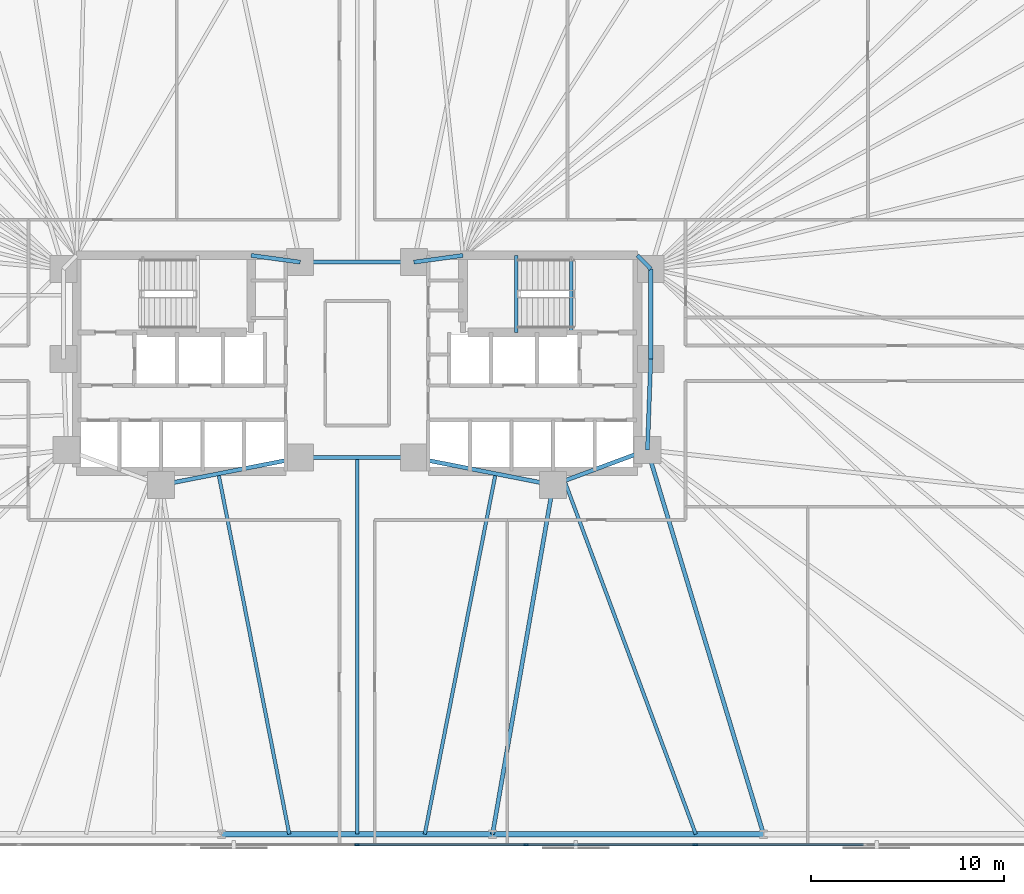
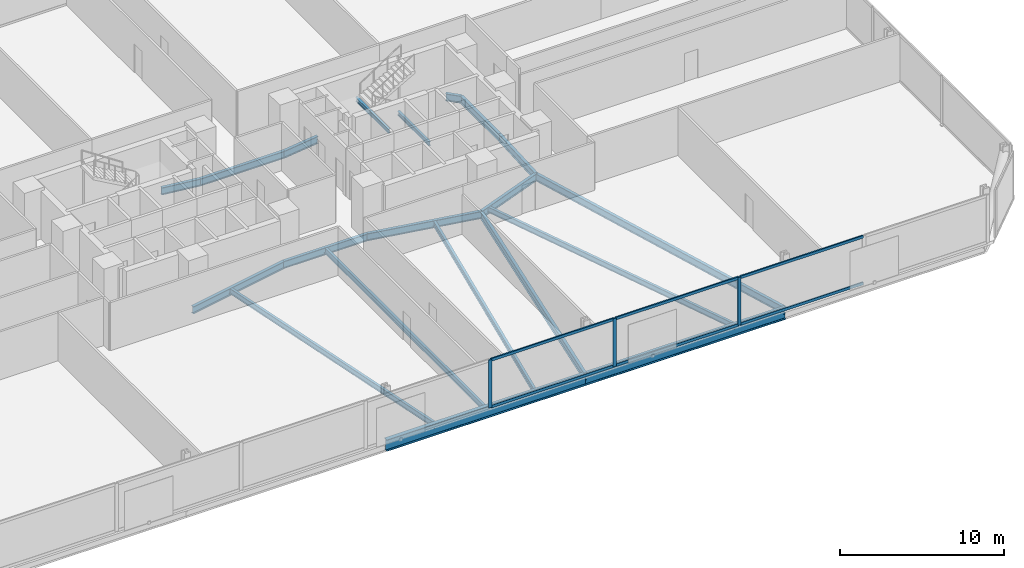
# One storey, part 7 of 17: 20 beams, 9 members, 1 element without a shape of its own.
"""IFC4 building model written with IfcOpenShell, lengths in metres."""

from ifc_helpers import new_model, si_unit, direction, frame, origin, origin_2d, place, context, subcontext, project, spatial, rectangle, i_section, extrude, material, material_profile, profile_set, type_object, element, aggregate, save


model = new_model("IFC4")

# Units and contexts
model_context = context("Model", 3, precision=1e-05, world=origin(), true_north=direction((0.0, 1.0)))
body_context = subcontext(model_context, "Body", "Model", "MODEL_VIEW")
ifc_project = project(units=[si_unit("LENGTHUNIT", "METRE"), si_unit("AREAUNIT", "SQUARE_METRE"), si_unit("VOLUMEUNIT", "CUBIC_METRE"), si_unit("PLANEANGLEUNIT", "RADIAN"), si_unit("MASSUNIT", "GRAM", prefix="KILO")], contexts=[model_context])

# Site, building, storey
site_placement = place(None, origin())
site = spatial("IfcSite", under=ifc_project, at=site_placement, CompositionType="ELEMENT")
building_placement = place(site_placement, origin())
building = spatial("IfcBuilding", under=site, at=building_placement, Name="Menara Jurai Vektor", CompositionType="ELEMENT")
storey_placement = place(building_placement, frame((0.0, 0.0, 48.39990234375)))
storey = spatial("IfcBuildingStorey", under=building, at=storey_placement, Name="L11", CompositionType="ELEMENT", Elevation=48.39990234375)

# Curtain wall, members
ifc_material_1 = material(Name="Anodised Pale Aluminium & Low-E Double Glazing", Category="aluminium")
curtain_wall_type = type_object("IfcCurtainWallType", Name="CW-BLK1", PredefinedType="NOTDEFINED", material=ifc_material_1)
curtain_wall_placement = place(storey_placement, origin())
curtain_wall = element("IfcCurtainWall", 1, at=curtain_wall_placement, inside=storey, type_object=curtain_wall_type, Name="Unitised Curtain Wall L11 F01", PredefinedType="NOTDEFINED")
ifc_material_2 = material(Name="Anodised Pale Aluminium Mullion", Category="aluminium")
ifc_material_profile_1 = material_profile(ifc_material_2, rectangle(XDim=0.094970703125, YDim=0.239990234375, at=origin_2d()), Name="ALU MUL 95x240")
ifc_profile_set_1 = profile_set([ifc_material_profile_1], Name="Anodised Pale Aluminium Mullion")
member_type_1 = type_object("IfcMemberType", Name="CW-BLK1-MUL", PredefinedType="MULLION", material=ifc_profile_set_1)
member_1_placement = place(storey_placement, frame((0.0, -25.0, 0.0), z_axis=(0.0, 0.0, 1.0), x_axis=(0.0, 1.0, 0.0)))
member_1 = element("IfcMember", 2, at=member_1_placement, type_object=member_type_1, Name="CW-01 mullion 5", PredefinedType="MULLION", context=body_context, shape_type="SweptSolid", body=[
    extrude(rectangle(XDim=0.094970703125, YDim=0.239990234375, at=origin_2d()), origin(), (0.0, 0.0, 1.0), 3.5751953125),
])
member_2_placement = place(storey_placement, frame((8.780029296875, -25.0, 0.0), z_axis=(0.0, 0.0, 1.0), x_axis=(0.0, 1.0, 0.0)))
member_2 = element("IfcMember", 3, at=member_2_placement, type_object=member_type_1, Name="CW-01 mullion 6", PredefinedType="MULLION", context=body_context, shape_type="SweptSolid", body=[
    extrude(rectangle(XDim=0.094970703125, YDim=0.239990234375, at=origin_2d()), origin(), (0.0, 0.0, 1.0), 3.5751953125),
])
member_3_placement = place(storey_placement, frame((17.56005859375, -25.0, 0.0), z_axis=(0.0, 0.0, 1.0), x_axis=(0.0, 1.0, 0.0)))
member_3 = element("IfcMember", 4, at=member_3_placement, type_object=member_type_1, Name="CW-01 mullion 7", PredefinedType="MULLION", context=body_context, shape_type="SweptSolid", body=[
    extrude(rectangle(XDim=0.094970703125, YDim=0.239990234375, at=origin_2d()), origin(), (0.0, 0.0, 1.0), 3.5751953125),
])
ifc_material_3 = material(Name="Anodised Pale Aluminium Transom", Category="aluminium")
ifc_material_profile_2 = material_profile(ifc_material_3, rectangle(XDim=0.094970703125, YDim=0.199951171875, at=origin_2d()), Name="ALU TRN 95x200")
ifc_profile_set_2 = profile_set([ifc_material_profile_2], Name="Anodised Pale Aluminium Transom")
member_type_2 = type_object("IfcMemberType", Name="CW-BLK1-TRN", PredefinedType="USERDEFINED", material=ifc_profile_set_2)
member_4_placement = place(storey_placement, frame((0.047607421875, -25.0, 0.047607421875), z_axis=(1.0, 0.0, 0.0), x_axis=(0.0, 1.0, 0.0)))
member_4 = element("IfcMember", 5, at=member_4_placement, type_object=member_type_2, Name="CW-01 transom 5.1", ObjectType="TRANSOM", PredefinedType="USERDEFINED", context=body_context, shape_type="SweptSolid", body=[
    extrude(rectangle(XDim=0.094970703125, YDim=0.199951171875, at=origin_2d()), origin(), (0.0, 0.0, 1.0), 8.684814453125),
])
member_5_placement = place(storey_placement, frame((0.047607421875, -25.0, 3.527587890625), z_axis=(1.0, 0.0, 0.0), x_axis=(0.0, 1.0, 0.0)))
member_5 = element("IfcMember", 6, at=member_5_placement, type_object=member_type_2, Name="CW-01 transom 5.2", ObjectType="TRANSOM", PredefinedType="USERDEFINED", context=body_context, shape_type="SweptSolid", body=[
    extrude(rectangle(XDim=0.094970703125, YDim=0.199951171875, at=origin_2d()), origin(), (0.0, 0.0, 1.0), 8.684814453125),
])
member_6_placement = place(storey_placement, frame((8.827392578125, -25.0, 0.047607421875), z_axis=(1.0, 0.0, 0.0), x_axis=(0.0, 1.0, 0.0)))
member_6 = element("IfcMember", 7, at=member_6_placement, type_object=member_type_2, Name="CW-01 transom 6.1", ObjectType="TRANSOM", PredefinedType="USERDEFINED", context=body_context, shape_type="SweptSolid", body=[
    extrude(rectangle(XDim=0.094970703125, YDim=0.199951171875, at=origin_2d()), origin(), (0.0, 0.0, 1.0), 8.68505859375),
])
member_7_placement = place(storey_placement, frame((8.827392578125, -25.0, 3.527587890625), z_axis=(1.0, 0.0, 0.0), x_axis=(0.0, 1.0, 0.0)))
member_7 = element("IfcMember", 8, at=member_7_placement, type_object=member_type_2, Name="CW-01 transom 6.2", ObjectType="TRANSOM", PredefinedType="USERDEFINED", context=body_context, shape_type="SweptSolid", body=[
    extrude(rectangle(XDim=0.094970703125, YDim=0.199951171875, at=origin_2d()), origin(), (0.0, 0.0, 1.0), 8.68505859375),
])
member_8_placement = place(storey_placement, frame((17.607421875, -25.0, 0.047607421875), z_axis=(1.0, 0.0, 0.0), x_axis=(0.0, 1.0, 0.0)))
member_8 = element("IfcMember", 9, at=member_8_placement, type_object=member_type_2, Name="CW-01 transom 7.1", ObjectType="TRANSOM", PredefinedType="USERDEFINED", context=body_context, shape_type="SweptSolid", body=[
    extrude(rectangle(XDim=0.094970703125, YDim=0.199951171875, at=origin_2d()), origin(), (0.0, 0.0, 1.0), 8.68505859375),
])
member_9_placement = place(storey_placement, frame((17.607421875, -25.0, 3.527587890625), z_axis=(1.0, 0.0, 0.0), x_axis=(0.0, 1.0, 0.0)))
member_9 = element("IfcMember", 10, at=member_9_placement, type_object=member_type_2, Name="CW-01 transom 7.2", ObjectType="TRANSOM", PredefinedType="USERDEFINED", context=body_context, shape_type="SweptSolid", body=[
    extrude(rectangle(XDim=0.094970703125, YDim=0.199951171875, at=origin_2d()), origin(), (0.0, 0.0, 1.0), 8.68505859375),
])
aggregate(curtain_wall, [member_1, member_2, member_3, member_4, member_5, member_6, member_7, member_8, member_9])

# Beams
ifc_material_4 = material(Name="Steel S355", Category="steel")
ifc_material_profile_3 = material_profile(ifc_material_4, i_section(OverallWidth=0.2109375, OverallDepth=0.5390625, WebThickness=0.011962890625, FlangeThickness=0.01904296875, FilletRadius=0.012939453125, at=origin_2d()), Name="UKB 533x210x109")
ifc_profile_set_3 = profile_set([ifc_material_profile_3], Name="Steel S355")
beam_type_1 = type_object("IfcBeamType", Name="STR-BM-533", PredefinedType="BEAM", material=ifc_profile_set_3)
beam_1_placement = place(storey_placement, frame((-5.5, 5.60009765625, -0.494384765625), z_axis=(0.990706818608, -0.136014703483, 0.0), x_axis=(0.136014703483, 0.990706818608, 0.0)))
element("IfcBeam", 11, at=beam_1_placement, inside=storey, type_object=beam_type_1, Name="Core Ring Header Girder L11-CHW-N2", PredefinedType="BEAM", context=body_context, shape_type="SweptSolid", body=[
    extrude(i_section(OverallWidth=0.2109375, OverallDepth=0.5390625, WebThickness=0.011962890625, FlangeThickness=0.01904296875, FilletRadius=0.012939453125, at=origin_2d()), origin(), (0.0, 0.0, 1.0), 2.573974609375),
])
beam_2_placement = place(storey_placement, frame((-10.179931640625, -6.320068359375, -0.494384765625), z_axis=(0.981249044334, 0.192744164614, 0.0), x_axis=(-0.192744164614, 0.981249044334, 0.0)))
element("IfcBeam", 12, at=beam_2_placement, inside=storey, type_object=beam_type_1, Name="Core Ring Header Girder L11-CHW-S2", PredefinedType="BEAM", context=body_context, shape_type="SweptSolid", body=[
    extrude(i_section(OverallWidth=0.2109375, OverallDepth=0.5390625, WebThickness=0.011962890625, FlangeThickness=0.01904296875, FilletRadius=0.012939453125, at=origin_2d()), origin(), (0.0, 0.0, 1.0), 7.3681640625),
])
beam_3_placement = place(storey_placement, frame((2.949951171875, 5.25, -0.494384765625), z_axis=(0.990706818608, 0.136014703483, 0.0), x_axis=(-0.136014703483, 0.990706818608, 0.0)))
element("IfcBeam", 13, at=beam_3_placement, inside=storey, type_object=beam_type_1, Name="Core Ring Header Girder L11-CHE-N1", PredefinedType="BEAM", context=body_context, shape_type="SweptSolid", body=[
    extrude(i_section(OverallWidth=0.2109375, OverallDepth=0.5390625, WebThickness=0.011962890625, FlangeThickness=0.01904296875, FilletRadius=0.012939453125, at=origin_2d()), origin(), (0.0, 0.0, 1.0), 2.573974609375),
])
beam_4_placement = place(storey_placement, frame((14.56005859375, 5.60009765625, -0.494384765625), z_axis=(0.701871936926, -0.712303154672, 0.0), x_axis=(0.712303154672, 0.701871936926, 0.0)))
element("IfcBeam", 14, at=beam_4_placement, inside=storey, type_object=beam_type_1, Name="Core Ring Header Girder L11-CHE-N2", PredefinedType="BEAM", context=body_context, shape_type="SweptSolid", body=[
    extrude(i_section(OverallWidth=0.2109375, OverallDepth=0.5390625, WebThickness=0.011962890625, FlangeThickness=0.01904296875, FilletRadius=0.012939453125, at=origin_2d()), origin(), (0.0, 0.0, 1.0), 0.98291015625),
])
beam_5_placement = place(storey_placement, frame((15.25, 0.219970703125, -0.494384765625), z_axis=(0.0, 1.0, 0.0), x_axis=(-1.0, 0.0, 0.0)))
element("IfcBeam", 15, at=beam_5_placement, inside=storey, type_object=beam_type_1, Name="Core Ring Header Girder L11-CHE-E1", PredefinedType="BEAM", context=body_context, shape_type="SweptSolid", body=[
    extrude(i_section(OverallWidth=0.2109375, OverallDepth=0.5390625, WebThickness=0.011962890625, FlangeThickness=0.01904296875, FilletRadius=0.012939453125, at=origin_2d()), origin(), (0.0, 0.0, 1.0), 4.679931640625),
])
beam_6_placement = place(storey_placement, frame((15.080078125, -4.5, -0.494384765625), z_axis=(0.035977314146, 0.999352606874, 0.0), x_axis=(-0.999352606874, 0.035977314146, 0.0)))
element("IfcBeam", 16, at=beam_6_placement, inside=storey, type_object=beam_type_1, Name="Core Ring Header Girder L11-CHE-E2", PredefinedType="BEAM", context=body_context, shape_type="SweptSolid", body=[
    extrude(i_section(OverallWidth=0.2109375, OverallDepth=0.5390625, WebThickness=0.011962890625, FlangeThickness=0.01904296875, FilletRadius=0.012939453125, at=origin_2d()), origin(), (0.0, 0.0, 1.0), 4.72314453125),
])
beam_7_placement = place(storey_placement, frame((10.179931640625, -6.320068359375, -0.494384765625), z_axis=(0.937424400887, 0.348188874925, 0.0), x_axis=(-0.348188874925, 0.937424400887, 0.0)))
element("IfcBeam", 17, at=beam_7_placement, inside=storey, type_object=beam_type_1, Name="Core Ring Header Girder L11-CHE-S1", PredefinedType="BEAM", context=body_context, shape_type="SweptSolid", body=[
    extrude(i_section(OverallWidth=0.2109375, OverallDepth=0.5390625, WebThickness=0.011962890625, FlangeThickness=0.01904296875, FilletRadius=0.012939453125, at=origin_2d()), origin(), (0.0, 0.0, 1.0), 5.227294921875),
])
beam_8_placement = place(storey_placement, frame((2.949951171875, -4.89990234375, -0.494384765625), z_axis=(0.981249044334, -0.192744164614, 0.0), x_axis=(0.192744164614, 0.981249044334, 0.0)))
element("IfcBeam", 18, at=beam_8_placement, inside=storey, type_object=beam_type_1, Name="Core Ring Header Girder L11-CHE-S2", PredefinedType="BEAM", context=body_context, shape_type="SweptSolid", body=[
    extrude(i_section(OverallWidth=0.2109375, OverallDepth=0.5390625, WebThickness=0.011962890625, FlangeThickness=0.01904296875, FilletRadius=0.012939453125, at=origin_2d()), origin(), (0.0, 0.0, 1.0), 7.3681640625),
])
for number, where, z_axis, x_axis, name in (
    (19, (-2.949951171875, -4.89990234375, -0.494384765625), (1.0, 0.0, 0.0), (0.0, 1.0, 0.0), "Core Ring Header Girder L11-CC-1"),
    (20, (-2.949951171875, 5.25, -0.494384765625), (1.0, 0.0, 0.0), (0.0, 1.0, 0.0), "Core Ring Header Girder L11-CC-2"),
):
    element("IfcBeam", number, at=place(storey_placement, frame(where, z_axis=z_axis, x_axis=x_axis)), inside=storey, type_object=beam_type_1, Name=name, PredefinedType="BEAM", context=body_context, shape_type="SweptSolid", body=[
        extrude(i_section(OverallWidth=0.2109375, OverallDepth=0.5390625, WebThickness=0.011962890625, FlangeThickness=0.01904296875, FilletRadius=0.012939453125, at=origin_2d()), origin(), (0.0, 0.0, 1.0), 5.89990234375),
    ])
beam_9_placement = place(storey_placement, frame((7.03564453125, -24.449951171875, -0.494384765625), z_axis=(0.170880325642, 0.985291791455, 0.0), x_axis=(-0.985291791455, 0.170880325642, 0.0)))
element("IfcBeam", 21, at=beam_9_placement, inside=storey, type_object=beam_type_1, Name="Radial Floor Girder L11-S4", PredefinedType="BEAM", context=body_context, shape_type="SweptSolid", body=[
    extrude(i_section(OverallWidth=0.2109375, OverallDepth=0.5390625, WebThickness=0.011962890625, FlangeThickness=0.01904296875, FilletRadius=0.012939453125, at=origin_2d()), origin(), (0.0, 0.0, 1.0), 18.400634765625),
])
beam_10_placement = place(storey_placement, frame((21.106689453125, -24.449951171875, -0.494384765625), z_axis=(-0.289179812203, 0.957274796604, 0.0), x_axis=(-0.957274796604, -0.289179812203, 0.0)))
element("IfcBeam", 22, at=beam_10_placement, inside=storey, type_object=beam_type_1, Name="Radial Floor Girder L11-S5", PredefinedType="BEAM", context=body_context, shape_type="SweptSolid", body=[
    extrude(i_section(OverallWidth=0.2109375, OverallDepth=0.5390625, WebThickness=0.011962890625, FlangeThickness=0.01904296875, FilletRadius=0.012939453125, at=origin_2d()), origin(), (0.0, 0.0, 1.0), 20.84033203125),
])
ifc_material_profile_4 = material_profile(ifc_material_4, i_section(OverallWidth=0.178955078125, OverallDepth=0.408935546875, WebThickness=0.009033203125, FlangeThickness=0.013916015625, FilletRadius=0.010009765625, at=origin_2d()), Name="UKB 406x178x67")
ifc_profile_set_4 = profile_set([ifc_material_profile_4], Name="Steel S355")
beam_type_2 = type_object("IfcBeamType", Name="STR-JS-406", PredefinedType="JOIST", material=ifc_profile_set_4)
beam_11_placement = place(storey_placement, frame((-3.517822265625, -24.449951171875, -0.429443359375), z_axis=(-0.192723076671, 0.981253186348, 0.0), x_axis=(-0.981253186348, -0.192723076671, 0.0)))
element("IfcBeam", 23, at=beam_11_placement, inside=storey, type_object=beam_type_2, Name="Radial Secondary Floor Joist L11-JS04", PredefinedType="JOIST", context=body_context, shape_type="SweptSolid", body=[
    extrude(i_section(OverallWidth=0.178955078125, OverallDepth=0.408935546875, WebThickness=0.009033203125, FlangeThickness=0.013916015625, FilletRadius=0.010009765625, at=origin_2d()), origin(), (0.0, 0.0, 1.0), 19.07421875),
])
beam_12_placement = place(storey_placement, frame((0.0, -24.449951171875, -0.429443359375), z_axis=(0.0, 1.0, 0.0), x_axis=(-1.0, 0.0, 0.0)))
element("IfcBeam", 24, at=beam_12_placement, inside=storey, type_object=beam_type_2, Name="Radial Secondary Floor Joist L11-JS05", PredefinedType="JOIST", context=body_context, shape_type="SweptSolid", body=[
    extrude(i_section(OverallWidth=0.178955078125, OverallDepth=0.408935546875, WebThickness=0.009033203125, FlangeThickness=0.013916015625, FilletRadius=0.010009765625, at=origin_2d()), origin(), (0.0, 0.0, 1.0), 19.550048828125),
])
beam_13_placement = place(storey_placement, frame((3.517822265625, -24.449951171875, -0.429443359375), z_axis=(0.192723076671, 0.981253186348, 0.0), x_axis=(-0.981253186348, 0.192723076671, 0.0)))
element("IfcBeam", 25, at=beam_13_placement, inside=storey, type_object=beam_type_2, Name="Radial Secondary Floor Joist L11-JS06", PredefinedType="JOIST", context=body_context, shape_type="SweptSolid", body=[
    extrude(i_section(OverallWidth=0.178955078125, OverallDepth=0.408935546875, WebThickness=0.009033203125, FlangeThickness=0.013916015625, FilletRadius=0.010009765625, at=origin_2d()), origin(), (0.0, 0.0, 1.0), 19.07421875),
])
beam_14_placement = place(storey_placement, frame((17.5888671875, -24.449951171875, -0.429443359375), z_axis=(-0.348179014223, 0.937428063403, 0.0), x_axis=(-0.937428063403, -0.348179014223, 0.0)))
element("IfcBeam", 26, at=beam_14_placement, inside=storey, type_object=beam_type_2, Name="Radial Secondary Floor Joist L11-JS07", PredefinedType="JOIST", context=body_context, shape_type="SweptSolid", body=[
    extrude(i_section(OverallWidth=0.178955078125, OverallDepth=0.408935546875, WebThickness=0.009033203125, FlangeThickness=0.013916015625, FilletRadius=0.010009765625, at=origin_2d()), origin(), (0.0, 0.0, 1.0), 19.5751953125),
])
ifc_material_profile_5 = material_profile(ifc_material_4, i_section(OverallWidth=0.1650390625, OverallDepth=0.302978515625, WebThickness=0.006103515625, FlangeThickness=0.010009765625, FilletRadius=0.009033203125, at=origin_2d()), Name="UKB 305x165x40")
ifc_profile_set_5 = profile_set([ifc_material_profile_5], Name="Steel S355")
beam_type_3 = type_object("IfcBeamType", Name="STR-LN-305", PredefinedType="LINTEL", material=ifc_profile_set_5)
beam_15_placement = place(storey_placement, frame((11.1201171875, 1.60009765625, -0.37646484375), z_axis=(0.0, 1.0, 0.0), x_axis=(-1.0, 0.0, 0.0)))
element("IfcBeam", 27, at=beam_15_placement, inside=storey, type_object=beam_type_3, Name="Stair Well Floor Trimmer ST2 L11", PredefinedType="LINTEL", context=body_context, shape_type="SweptSolid", body=[
    extrude(i_section(OverallWidth=0.1650390625, OverallDepth=0.302978515625, WebThickness=0.006103515625, FlangeThickness=0.010009765625, FilletRadius=0.009033203125, at=origin_2d()), origin(), (0.0, 0.0, 1.0), 3.81982421875),
])
beam_16_placement = place(storey_placement, frame((8.27001953125, 1.60009765625, 1.548583984375), z_axis=(0.0, 1.0, 0.0), x_axis=(-1.0, 0.0, 0.0)))
element("IfcBeam", 28, at=beam_16_placement, inside=storey, type_object=beam_type_3, Name="Stair Half-Landing Nosing Trimmer ST2-1 L11", PredefinedType="LINTEL", context=body_context, shape_type="SweptSolid", body=[
    extrude(i_section(OverallWidth=0.1650390625, OverallDepth=0.302978515625, WebThickness=0.006103515625, FlangeThickness=0.010009765625, FilletRadius=0.009033203125, at=origin_2d()), origin(), (0.0, 0.0, 1.0), 4.0),
])
ifc_material_5 = material(Name="Steel S460", Category="steel")
ifc_material_profile_6 = material_profile(ifc_material_5, i_section(OverallWidth=0.2939453125, OverallDepth=0.85107421875, WebThickness=0.01611328125, FlangeThickness=0.027099609375, FilletRadius=0.01806640625, at=origin_2d()), Name="UKB 838x292x226")
ifc_profile_set_6 = profile_set([ifc_material_profile_6], Name="Steel S460")
beam_type_4 = type_object("IfcBeamType", Name="STR-SP-838", PredefinedType="SPANDREL", material=ifc_profile_set_6)
beam_17_placement = place(storey_placement, frame((-7.03564453125, -24.449951171875, -0.650390625), z_axis=(1.0, 0.0, 0.0), x_axis=(0.0, 1.0, 0.0)))
element("IfcBeam", 29, at=beam_17_placement, inside=storey, type_object=beam_type_4, Name="Exoskeleton Spandrel Beam L11-03", PredefinedType="SPANDREL", context=body_context, shape_type="SweptSolid", body=[
    extrude(i_section(OverallWidth=0.2939453125, OverallDepth=0.85107421875, WebThickness=0.01611328125, FlangeThickness=0.027099609375, FilletRadius=0.01806640625, at=origin_2d()), origin(), (0.0, 0.0, 1.0), 14.0712890625),
])
beam_18_placement = place(storey_placement, frame((7.03564453125, -24.449951171875, -0.650390625), z_axis=(1.0, 0.0, 0.0), x_axis=(0.0, 1.0, 0.0)))
element("IfcBeam", 30, at=beam_18_placement, inside=storey, type_object=beam_type_4, Name="Exoskeleton Spandrel Beam L11-04", PredefinedType="SPANDREL", context=body_context, shape_type="SweptSolid", body=[
    extrude(i_section(OverallWidth=0.2939453125, OverallDepth=0.85107421875, WebThickness=0.01611328125, FlangeThickness=0.027099609375, FilletRadius=0.01806640625, at=origin_2d()), origin(), (0.0, 0.0, 1.0), 14.071044921875),
])

save(model, "model.ifc")
